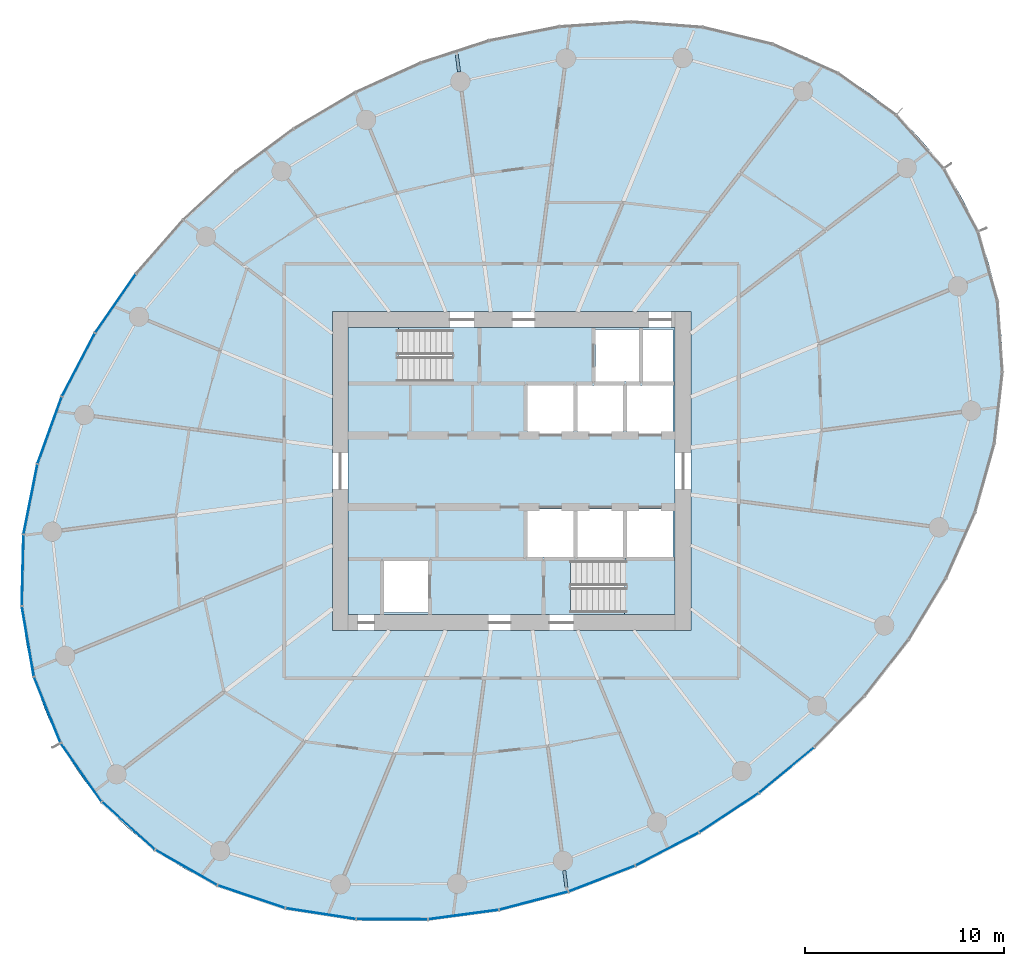
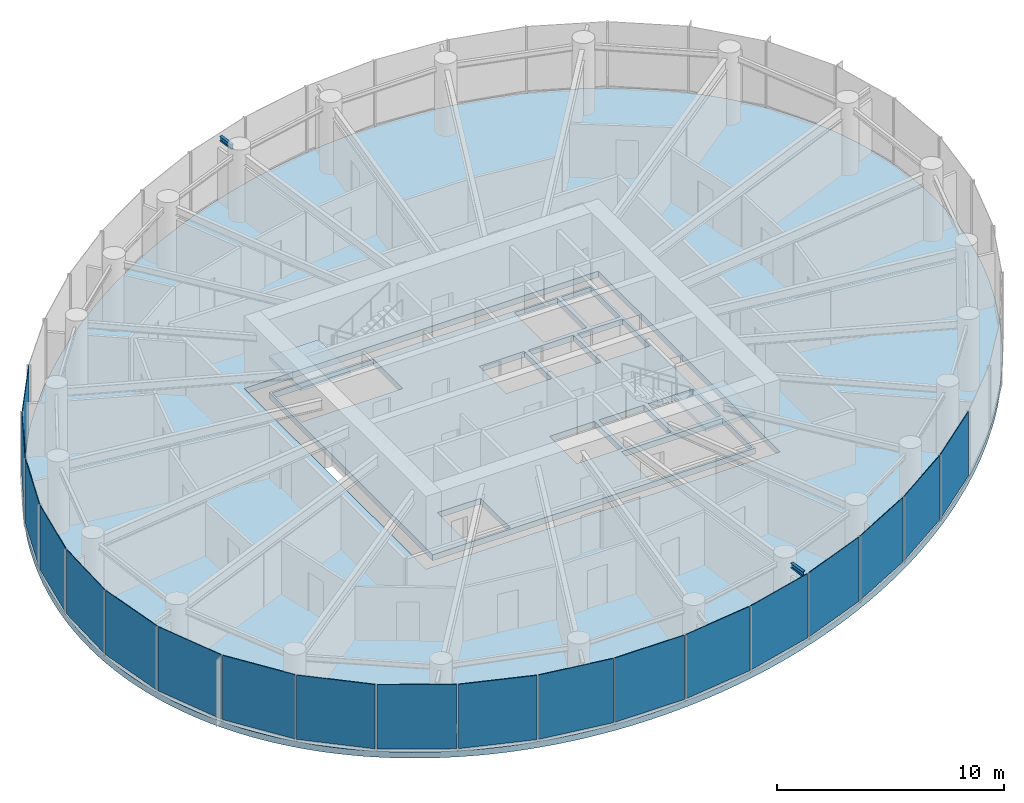
# One storey, part 7 of 15: 19 plates, 4 slabs, 2 beams, 6 elements without a shape of their own.
"""IFC4 building model written with IfcOpenShell, lengths in metres."""

from ifc_helpers import new_model, si_unit, direction, frame, origin, origin_2d, place, context, subcontext, project, spatial, line, indexed_curve, rectangle, i_section, outline, extrude, source, transform, mapped, material, layer, layer_set, material_profile, profile_set, type_object, element, aggregate, save


model = new_model("IFC4")

# Units and contexts
model_context = context("Model", 3, precision=1e-05, world=origin(), true_north=direction((0.0, 1.0)))
body_context = subcontext(model_context, "Body", "Model", "MODEL_VIEW")
ifc_project = project(units=[si_unit("LENGTHUNIT", "METRE"), si_unit("AREAUNIT", "SQUARE_METRE"), si_unit("VOLUMEUNIT", "CUBIC_METRE"), si_unit("PLANEANGLEUNIT", "RADIAN"), si_unit("MASSUNIT", "GRAM", prefix="KILO")], contexts=[model_context])

# Site, building, storey
site_placement = place(None, origin())
site = spatial("IfcSite", under=ifc_project, at=site_placement, CompositionType="ELEMENT")
building_placement = place(site_placement, origin())
building = spatial("IfcBuilding", under=site, at=building_placement, Name="Spindrift Exchange Tower", CompositionType="ELEMENT")
storey_placement = place(building_placement, frame((0.0, 0.0, 168.199951171875)))
storey = spatial("IfcBuildingStorey", under=building, at=storey_placement, Name="L40", CompositionType="ELEMENT", Elevation=168.199951171875)

# Beams
ifc_material_1 = material(Name="Steel Grade 300", Category="steel")
ifc_material_profile = material_profile(ifc_material_1, i_section(OverallWidth=0.14599609375, OverallDepth=0.251953125, WebThickness=0.006103515625, FlangeThickness=0.008544921875, FilletRadius=0.011962890625, at=origin_2d()), Name="250UB31.4")
ifc_profile_set = profile_set([ifc_material_profile], Name="Steel Grade 300")
beam_type = type_object("IfcBeamType", Name="Cantilever Beam 250UB31.4 Steel Grade 300", PredefinedType="BEAM", material=ifc_profile_set)
shared_shape_1 = source(origin(), body_context, "Body", "SweptSolid", [
    extrude(i_section(OverallWidth=0.14599609375, OverallDepth=0.251953125, WebThickness=0.006103515625, FlangeThickness=0.008544921875, FilletRadius=0.011962890625, at=origin_2d()), origin(), (0.0, 0.0, 1.0), 0.86962890625),
])
for number, where, z_axis, x_axis, name in (
    (1, (49.36328125, 68.027099609375, 3.4541015625), (-0.130251188216, 0.991481027538, 0.0), (-0.991481027538, -0.130251188216, 0.0), "L40 cantilever beam R07T"),
    (2, (54.63671875, 27.972900390625, 3.4541015625), (0.130251188216, -0.991481027538, 0.0), (0.991481027538, 0.130251188216, 0.0), "L40 cantilever beam R19T"),
):
    element("IfcBeam", number, at=place(storey_placement, frame(where, z_axis=z_axis, x_axis=x_axis)), inside=storey, type_object=beam_type, Name=name, PredefinedType="BEAM", context=body_context, shape_type="MappedRepresentation", body=[
        mapped(shared_shape_1, transform((0.0, 0.0, 0.0), scale=1.0)),
    ])

# Slabs
ifc_material_2 = material(Name="Concrete 40 MPa", Category="concrete")
ifc_layer_1 = layer(ifc_material_2, 0.320068359375)
ifc_layer_set_1 = layer_set([ifc_layer_1], Name="RC Floor Slab 320 Concrete 40 MPa")
slab_type_1 = type_object("IfcSlabType", Name="RC Floor Slab 320 Concrete 40 MPa", PredefinedType="FLOOR", material=ifc_layer_set_1)
slab_1_placement = place(storey_placement, frame((0.0, 0.0, -0.320068359375)))
element("IfcSlab", 3, at=slab_1_placement, inside=storey, type_object=slab_type_1, Name="Floor slab L40", PredefinedType="FLOOR", context=body_context, shape_type="SweptSolid", body=[
    extrude(outline(indexed_curve([(73.676025390625, 63.177734375), (73.436279296875, 63.5107421875), (73.18798828125, 63.837158203125), (72.93115234375, 64.1572265625), (72.666015625, 64.470458984375), (72.392822265625, 64.776611328125), (72.112060546875, 65.075439453125), (71.823486328125, 65.3671875), (71.52734375, 65.651123046875), (71.22412109375, 65.927734375), (70.914306640625, 66.1962890625), (70.597412109375, 66.457275390625), (70.2744140625, 66.7099609375), (69.945068359375, 66.954833984375), (69.26904296875, 67.419921875), (68.571533203125, 67.851806640625), (68.21533203125, 68.055419921875), (67.4892578125, 68.4375), (66.74658203125, 68.78662109375), (65.989501953125, 69.1025390625), (65.605712890625, 69.248046875), (64.829833984375, 69.514892578125), (64.43798828125, 69.636474609375), (63.647216796875, 69.855224609375), (62.848388671875, 70.04296875), (62.446533203125, 70.125244140625), (61.63818359375, 70.26708984375), (61.232421875, 70.32666015625), (60.41748046875, 70.42431640625), (59.60009765625, 70.492919921875), (59.1904296875, 70.516845703125), (58.780517578125, 70.53369140625), (57.9599609375, 70.54736328125), (57.1396484375, 70.5341796875), (56.7294921875, 70.517822265625), (55.91064453125, 70.466064453125), (55.501953125, 70.430908203125), (55.09375, 70.389404296875), (54.279296875, 70.288330078125), (53.87353515625, 70.22900390625), (53.064208984375, 70.092529296875), (52.661376953125, 70.015869140625), (51.858642578125, 69.845703125), (51.458984375, 69.752197265625), (50.6640625, 69.549072265625), (49.874755859375, 69.32470703125), (49.482421875, 69.20458984375), (48.70263671875, 68.949462890625), (48.315185546875, 68.814208984375), (47.5458984375, 68.529296875), (47.163818359375, 68.37939453125), (46.78369140625, 68.224609375), (46.02978515625, 67.9013671875), (44.9140625, 67.38134765625), (43.818359375, 66.82080078125), (42.74365234375, 66.220947265625), (42.039306640625, 65.7998046875), (41.345458984375, 65.361572265625), (40.324951171875, 64.673828125), (39.329345703125, 63.949951171875), (38.680419921875, 63.44775390625), (38.043701171875, 62.93017578125), (37.112548828125, 62.12548828125), (36.80859375, 61.849853515625), (36.2109375, 61.287353515625), (35.62744140625, 60.710693359375), (35.3408203125, 60.4169921875), (34.779052734375, 59.81884765625), (34.50390625, 59.5146484375), (33.96484375, 58.89599609375), (33.701171875, 58.58154296875), (33.441650390625, 58.263671875), (32.935302734375, 57.6181640625), (32.688232421875, 57.29052734375), (32.20751953125, 56.62548828125), (31.973876953125, 56.288330078125), (31.520263671875, 55.6044921875), (31.300537109375, 55.258056640625), (30.875732421875, 54.555908203125), (30.470703125, 53.84228515625), (30.276123046875, 53.481201171875), (29.902587890625, 52.75048828125), (29.72412109375, 52.381103515625), (29.55126953125, 52.009033203125), (29.222412109375, 51.257080078125), (28.91748046875, 50.495361328125), (28.77392578125, 50.111083984375), (28.506103515625, 49.33544921875), (28.3818359375, 48.9443359375), (28.1533203125, 48.156494140625), (28.04931640625, 47.759521484375), (27.862060546875, 46.960693359375), (27.779296875, 46.55859375), (27.63623046875, 45.750732421875), (27.575927734375, 45.344970703125), (27.47900390625, 44.5302734375), (27.414306640625, 43.712158203125), (27.394287109375, 43.302490234375), (27.3798828125, 42.48193359375), (27.39990234375, 41.66162109375), (27.42333984375, 41.252197265625), (27.497314453125, 40.434814453125), (27.608154296875, 39.621826171875), (27.677490234375, 39.217529296875), (27.844970703125, 38.414306640625), (28.05078125, 37.6201171875), (28.168212890625, 37.226806640625), (28.295166015625, 36.8369140625), (28.431884765625, 36.449951171875), (28.578369140625, 36.06689453125), (28.734619140625, 35.687255859375), (28.900390625, 35.31201171875), (29.07568359375, 34.941162109375), (29.260498046875, 34.57470703125), (29.45458984375, 34.21337890625), (29.658203125, 33.857421875), (29.87109375, 33.506591796875), (30.093017578125, 33.161376953125), (30.323974609375, 32.822265625), (30.563720703125, 32.4892578125), (30.81201171875, 32.162841796875), (31.06884765625, 31.8427734375), (31.333984375, 31.529541015625), (31.607177734375, 31.223388671875), (31.887939453125, 30.924560546875), (32.176513671875, 30.6328125), (32.47265625, 30.348876953125), (32.77587890625, 30.072265625), (33.085693359375, 29.8037109375), (33.402587890625, 29.542724609375), (33.7255859375, 29.2900390625), (34.054931640625, 29.045166015625), (34.73095703125, 28.580078125), (35.428466796875, 28.148193359375), (35.78466796875, 27.944580078125), (36.5107421875, 27.5625), (37.25341796875, 27.21337890625), (38.010498046875, 26.8974609375), (38.394287109375, 26.751953125), (39.170166015625, 26.485107421875), (39.56201171875, 26.363525390625), (40.352783203125, 26.144775390625), (41.151611328125, 25.95703125), (41.553466796875, 25.874755859375), (42.36181640625, 25.73291015625), (42.767578125, 25.67333984375), (43.58251953125, 25.57568359375), (44.39990234375, 25.507080078125), (44.8095703125, 25.483154296875), (45.219482421875, 25.46630859375), (46.0400390625, 25.45263671875), (46.8603515625, 25.4658203125), (47.2705078125, 25.482177734375), (48.08935546875, 25.533935546875), (48.498046875, 25.569091796875), (48.90625, 25.610595703125), (49.720703125, 25.711669921875), (50.12646484375, 25.77099609375), (50.935791015625, 25.907470703125), (51.338623046875, 25.984130859375), (52.141357421875, 26.154296875), (52.541015625, 26.247802734375), (53.3359375, 26.450927734375), (54.125244140625, 26.67529296875), (54.517578125, 26.79541015625), (55.29736328125, 27.050537109375), (55.684814453125, 27.185791015625), (56.4541015625, 27.470703125), (56.836181640625, 27.62060546875), (57.21630859375, 27.775390625), (57.97021484375, 28.0986328125), (59.0859375, 28.61865234375), (60.181640625, 29.17919921875), (61.25634765625, 29.779052734375), (61.960693359375, 30.2001953125), (62.654541015625, 30.638427734375), (63.675048828125, 31.326171875), (64.670654296875, 32.050048828125), (65.319580078125, 32.55224609375), (65.956298828125, 33.06982421875), (66.887451171875, 33.87451171875), (67.19140625, 34.150146484375), (67.7890625, 34.712646484375), (68.37255859375, 35.289306640625), (68.6591796875, 35.5830078125), (69.220947265625, 36.18115234375), (69.49609375, 36.4853515625), (70.03515625, 37.10400390625), (70.298828125, 37.41845703125), (70.558349609375, 37.736328125), (71.064697265625, 38.3818359375), (71.311767578125, 38.70947265625), (71.79248046875, 39.37451171875), (72.026123046875, 39.711669921875), (72.479736328125, 40.3955078125), (72.699462890625, 40.741943359375), (73.124267578125, 41.444091796875), (73.529296875, 42.15771484375), (73.723876953125, 42.518798828125), (74.097412109375, 43.24951171875), (74.27587890625, 43.618896484375), (74.44873046875, 43.990966796875), (74.777587890625, 44.742919921875), (75.08251953125, 45.504638671875), (75.22607421875, 45.888916015625), (75.493896484375, 46.66455078125), (75.6181640625, 47.0556640625), (75.8466796875, 47.843505859375), (75.95068359375, 48.240478515625), (76.137939453125, 49.039306640625), (76.220703125, 49.44140625), (76.36376953125, 50.249267578125), (76.424072265625, 50.655029296875), (76.52099609375, 51.4697265625), (76.585693359375, 52.287841796875), (76.605712890625, 52.697509765625), (76.6201171875, 53.51806640625), (76.60009765625, 54.33837890625), (76.57666015625, 54.747802734375), (76.502685546875, 55.565185546875), (76.391845703125, 56.378173828125), (76.322509765625, 56.782470703125), (76.155029296875, 57.585693359375), (75.94921875, 58.3798828125), (75.831787109375, 58.773193359375), (75.704833984375, 59.1630859375), (75.568115234375, 59.550048828125), (75.421630859375, 59.93310546875), (75.265380859375, 60.312744140625), (75.099609375, 60.68798828125), (74.92431640625, 61.058837890625), (74.739501953125, 61.42529296875), (74.54541015625, 61.78662109375), (74.341796875, 62.142578125), (74.12890625, 62.493408203125), (73.906982421875, 62.838623046875)], segments=[line(1, 2, 3, 4, 5, 6, 7, 8, 9, 10, 11, 12, 13, 14, 15, 16, 17, 18, 19, 20, 21, 22, 23, 24, 25, 26, 27, 28, 29, 30, 31, 32, 33, 34, 35, 36, 37, 38, 39, 40, 41, 42, 43, 44, 45, 46, 47, 48, 49, 50, 51, 52, 53, 54, 55, 56, 57, 58, 59, 60, 61, 62, 63, 64, 65, 66, 67, 68, 69, 70, 71, 72, 73, 74, 75, 76, 77, 78, 79, 80, 81, 82, 83, 84, 85, 86, 87, 88, 89, 90, 91, 92, 93, 94, 95, 96, 97, 98, 99, 100, 101, 102, 103, 104, 105, 106, 107, 108, 109, 110, 111, 112, 113, 114, 115, 116, 117, 118, 119, 120, 121, 122, 123, 124, 125, 126, 127, 128, 129, 130, 131, 132, 133, 134, 135, 136, 137, 138, 139, 140, 141, 142, 143, 144, 145, 146, 147, 148, 149, 150, 151, 152, 153, 154, 155, 156, 157, 158, 159, 160, 161, 162, 163, 164, 165, 166, 167, 168, 169, 170, 171, 172, 173, 174, 175, 176, 177, 178, 179, 180, 181, 182, 183, 184, 185, 186, 187, 188, 189, 190, 191, 192, 193, 194, 195, 196, 197, 198, 199, 200, 201, 202, 203, 204, 205, 206, 207, 208, 209, 210, 211, 212, 213, 214, 215, 216, 217, 218, 219, 220, 221, 222, 223, 224, 225, 226, 227, 228, 229, 230, 231, 232, 233, 234, 235, 236, 1)], self_intersect=False), holes=[indexed_curve([(43.0, 40.0), (61.0, 40.0), (61.0, 56.0), (43.0, 56.0)], segments=[line(1, 2, 3, 4, 1)], self_intersect=False)]), origin(), (0.0, 0.0, 1.0), 0.320068359375),
])
ifc_material_3 = material(Name="Concrete 50 MPa", Category="concrete")
ifc_layer_2 = layer(ifc_material_3, 0.320068359375)
ifc_layer_set_2 = layer_set([ifc_layer_2], Name="SL-CORE-FLOOR-320")
slab_type_2 = type_object("IfcSlabType", Name="SL-CORE-FLOOR-320", PredefinedType="FLOOR", material=ifc_layer_set_2)
slab_2_placement = place(storey_placement, frame((0.0, 0.0, -0.320068359375)))
element("IfcSlab", 4, at=slab_2_placement, inside=storey, type_object=slab_type_2, Name="L40 Core floor slab", PredefinedType="FLOOR", context=body_context, shape_type="SweptSolid", body=[
    extrude(outline(indexed_curve([(43.800048828125, 40.800048828125), (43.800048828125, 55.199951171875), (60.199951171875, 55.199951171875), (60.199951171875, 40.800048828125)], segments=[line(1, 2, 3, 4, 1)], self_intersect=False), holes=[indexed_curve([(45.60009765625, 43.5), (45.60009765625, 40.89990234375), (47.800048828125, 40.89990234375), (47.800048828125, 43.5)], segments=[line(1, 2, 3, 4, 1)], self_intersect=False), indexed_curve([(52.800048828125, 46.10009765625), (52.800048828125, 43.699951171875), (55.10009765625, 43.699951171875), (55.10009765625, 46.10009765625)], segments=[line(1, 2, 3, 4, 1)], self_intersect=False), indexed_curve([(55.300048828125, 46.10009765625), (55.300048828125, 43.699951171875), (57.60009765625, 43.699951171875), (57.60009765625, 46.10009765625)], segments=[line(1, 2, 3, 4, 1)], self_intersect=False), indexed_curve([(55.10009765625, 52.300048828125), (52.800048828125, 52.300048828125), (52.800048828125, 49.89990234375), (55.10009765625, 49.89990234375)], segments=[line(1, 2, 3, 4, 1)], self_intersect=False), indexed_curve([(57.60009765625, 52.300048828125), (55.300048828125, 52.300048828125), (55.300048828125, 49.89990234375), (57.60009765625, 49.89990234375)], segments=[line(1, 2, 3, 4, 1)], self_intersect=False), indexed_curve([(43.906005859375, 52.506103515625), (49.0439453125, 52.506103515625), (49.0439453125, 55.093994140625), (43.906005859375, 55.093994140625)], segments=[line(1, 2, 3, 4, 1)], self_intersect=False), indexed_curve([(60.093994140625, 40.906005859375), (60.093994140625, 43.493896484375), (54.9560546875, 43.493896484375), (54.9560546875, 40.906005859375)], segments=[line(1, 2, 3, 4, 1)], self_intersect=False), indexed_curve([(60.10009765625, 46.10009765625), (57.800048828125, 46.10009765625), (57.800048828125, 43.699951171875), (60.10009765625, 43.699951171875)], segments=[line(1, 2, 3, 4, 1)], self_intersect=False), indexed_curve([(57.800048828125, 52.300048828125), (57.800048828125, 49.89990234375), (60.10009765625, 49.89990234375), (60.10009765625, 52.300048828125)], segments=[line(1, 2, 3, 4, 1)], self_intersect=False), indexed_curve([(58.39990234375, 55.10009765625), (56.199951171875, 55.10009765625), (56.199951171875, 52.5), (58.39990234375, 52.5)], segments=[line(1, 2, 3, 4, 1)], self_intersect=False), indexed_curve([(60.10009765625, 55.10009765625), (58.60009765625, 55.10009765625), (58.60009765625, 52.5), (60.10009765625, 52.5)], segments=[line(1, 2, 3, 4, 1)], self_intersect=False)]), origin(), (0.0, 0.0, 1.0), 0.320068359375),
])

# Stair, slab
stair_type = type_object("IfcStairType", Name="ST-1250-R177", PredefinedType="HALF_TURN_STAIR", material=ifc_material_3)
stair_1_placement = place(storey_placement, origin())
stair_1 = element("IfcStair", 5, at=stair_1_placement, inside=storey, type_object=stair_type, Name="L40 Exit stair ST1", PredefinedType="HALF_TURN_STAIR")
ifc_layer_3 = layer(ifc_material_3, 0.199951171875)
ifc_layer_set_3 = layer_set([ifc_layer_3], Name="SL-LANDING")
slab_type_3 = type_object("IfcSlabType", Name="SL-LANDING", PredefinedType="LANDING", material=ifc_layer_set_3)
slab_3_placement = place(storey_placement, frame((0.0, 0.0, 1.75)))
slab_3 = element("IfcSlab", 6, at=slab_3_placement, type_object=slab_type_3, Name="ST1 landing 1", PredefinedType="LANDING", context=body_context, shape_type="SweptSolid", body=[
    extrude(outline(indexed_curve([(46.330078125, 52.39990234375), (43.800048828125, 52.39990234375), (43.800048828125, 55.199951171875), (46.330078125, 55.199951171875)], segments=[line(1, 2, 3, 4, 1)], self_intersect=False)), origin(), (0.0, 0.0, 1.0), 0.199951171875),
])
aggregate(stair_1, [slab_3])

stair_2_placement = place(storey_placement, origin())
stair_2 = element("IfcStair", 7, at=stair_2_placement, inside=storey, type_object=stair_type, Name="L40 Exit stair ST2", PredefinedType="HALF_TURN_STAIR")
slab_4_placement = place(storey_placement, frame((0.0, 0.0, 1.75)))
slab_4 = element("IfcSlab", 8, at=slab_4_placement, type_object=slab_type_3, Name="ST2 landing 1", PredefinedType="LANDING", context=body_context, shape_type="SweptSolid", body=[
    extrude(outline(indexed_curve([(57.669921875, 43.60009765625), (60.199951171875, 43.60009765625), (60.199951171875, 40.800048828125), (57.669921875, 40.800048828125)], segments=[line(1, 2, 3, 4, 1)], self_intersect=False)), origin(), (0.0, 0.0, 1.0), 0.199951171875),
])
aggregate(stair_2, [slab_4])

# Curtain wall, plate
ifc_material_4 = material(Name="Fritted laminated glass with bronze frame", Category="glass")
ifc_layer_4 = layer(ifc_material_4, 0.179931640625)
ifc_layer_set_4 = layer_set([ifc_layer_4], Name="ZONE 3 BRONZE FRITTED WALL")
curtain_wall_type = type_object("IfcCurtainWallType", Name="ZONE 3 BRONZE FRITTED WALL", PredefinedType="NOTDEFINED", material=ifc_layer_set_4)
curtain_wall_1_placement = place(storey_placement, origin())
curtain_wall_1 = element("IfcCurtainWall", 9, at=curtain_wall_1_placement, inside=storey, type_object=curtain_wall_type, Name="L40 Zone 3 Bronze Fritted Wall run 3", PredefinedType="NOTDEFINED")
ifc_material_5 = material(Name="Bronze fritted laminated glass, open frit", Category="glass")
ifc_layer_5 = layer(ifc_material_5, 0.031982421875)
ifc_layer_set_5 = layer_set([ifc_layer_5], Name="ZONE 3 BRONZE FRITTED WALL PANEL OPEN FRIT 360")
plate_type_1 = type_object("IfcPlateType", Name="ZONE 3 BRONZE FRITTED WALL PANEL OPEN FRIT 360", PredefinedType="CURTAIN_PANEL", material=ifc_layer_set_5)
shared_shape_2 = source(origin(), body_context, "Body", "SweptSolid", [
    extrude(rectangle(XDim=3.530517578125, YDim=0.031982421875, at=origin_2d()), origin(), (0.0, 0.0, 1.0), 3.449951171875),
])
plate_1_placement = place(storey_placement, frame((32.125244140625, 56.414794921875, 0.1298828125), z_axis=(0.0, 0.0, 1.0), x_axis=(-0.568854713516, -0.822438031046, 0.0)))
plate_1 = element("IfcPlate", 10, at=plate_1_placement, type_object=plate_type_1, Name="L40 panel CW-3.14", PredefinedType="CURTAIN_PANEL", context=body_context, shape_type="MappedRepresentation", body=[
    mapped(shared_shape_2, transform((0.0, 0.0, 0.0), scale=1.0)),
])

# Curtain wall, plates
curtain_wall_2_placement = place(storey_placement, origin())
curtain_wall_2 = element("IfcCurtainWall", 11, at=curtain_wall_2_placement, inside=storey, type_object=curtain_wall_type, Name="L40 Zone 3 Bronze Fritted Wall run 5", PredefinedType="NOTDEFINED")
ifc_layer_6 = layer(ifc_material_5, 0.031982421875)
ifc_layer_set_6 = layer_set([ifc_layer_6], Name="ZONE 3 BRONZE FRITTED WALL PANEL OPEN FRIT 600")
plate_type_2 = type_object("IfcPlateType", Name="ZONE 3 BRONZE FRITTED WALL PANEL OPEN FRIT 600", PredefinedType="CURTAIN_PANEL", material=ifc_layer_set_6)
shared_shape_3 = source(origin(), body_context, "Body", "SweptSolid", [
    extrude(rectangle(XDim=3.53076171875, YDim=0.031982421875, at=origin_2d()), origin(), (0.0, 0.0, 1.0), 3.449951171875),
])
plate_2_placement = place(storey_placement, frame((56.529541015625, 27.553466796875, 0.1298828125), z_axis=(0.0, 0.0, 1.0), x_axis=(0.932186773947, 0.361977649142, 0.0)))
plate_2 = element("IfcPlate", 12, at=plate_2_placement, type_object=plate_type_2, Name="L40 panel CW-3.29", PredefinedType="CURTAIN_PANEL", context=body_context, shape_type="MappedRepresentation", body=[
    mapped(shared_shape_3, transform((0.0, 0.0, 0.0), scale=1.0)),
])
shared_shape_4 = source(origin(), body_context, "Body", "SweptSolid", [
    extrude(rectangle(XDim=3.531005859375, YDim=0.031982421875, at=origin_2d()), origin(), (0.0, 0.0, 1.0), 3.449951171875),
])
plate_3_placement = place(storey_placement, frame((59.805419921875, 29.03515625, 0.1298828125), z_axis=(0.0, 0.0, 1.0), x_axis=(0.887427928558, 0.460946495392, 0.0)))
plate_3 = element("IfcPlate", 13, at=plate_3_placement, type_object=plate_type_2, Name="L40 panel CW-3.30", PredefinedType="CURTAIN_PANEL", context=body_context, shape_type="MappedRepresentation", body=[
    mapped(shared_shape_4, transform((0.0, 0.0, 0.0), scale=1.0)),
])

curtain_wall_3_placement = place(storey_placement, origin())
curtain_wall_3 = element("IfcCurtainWall", 14, at=curtain_wall_3_placement, inside=storey, type_object=curtain_wall_type, Name="L40 Zone 3 Bronze Fritted Wall run 6", PredefinedType="NOTDEFINED")
plate_4_placement = place(storey_placement, frame((65.795166015625, 32.997802734375, 0.1298828125), z_axis=(0.0, 0.0, 1.0), x_axis=(0.771450258371, 0.636289634411, 0.0)))
plate_4 = element("IfcPlate", 15, at=plate_4_placement, type_object=plate_type_2, Name="L40 panel CW-3.32", PredefinedType="CURTAIN_PANEL", context=body_context, shape_type="MappedRepresentation", body=[
    mapped(shared_shape_4, transform((0.0, 0.0, 0.0), scale=1.0)),
])
shared_shape_5 = source(origin(), body_context, "Body", "SweptSolid", [
    extrude(rectangle(XDim=3.531005859375, YDim=0.031982421875, at=origin_2d()), origin(), (0.0, 0.0, 1.0), 3.449951171875),
])
plate_5_placement = place(storey_placement, frame((62.90478515625, 30.858642578125, 0.1298828125), z_axis=(0.0, 0.0, 1.0), x_axis=(0.833912793801, 0.551896233304, 0.0)))
plate_5 = element("IfcPlate", 16, at=plate_5_placement, type_object=plate_type_1, Name="L40 panel CW-3.31", PredefinedType="CURTAIN_PANEL", context=body_context, shape_type="MappedRepresentation", body=[
    mapped(shared_shape_5, transform((0.0, 0.0, 0.0), scale=1.0)),
])
aggregate(curtain_wall_3, [plate_5, plate_4])

# Plate
shared_shape_6 = source(origin(), body_context, "Body", "SweptSolid", [
    extrude(rectangle(XDim=3.530517578125, YDim=0.031982421875, at=origin_2d()), origin(), (0.0, 0.0, 1.0), 3.449951171875),
])
plate_6_placement = place(storey_placement, frame((53.109619140625, 26.44580078125, 0.1298828125), z_axis=(0.0, 0.0, 1.0), x_axis=(0.967393415036, 0.253278464431, 0.0)))
plate_6 = element("IfcPlate", 17, at=plate_6_placement, type_object=plate_type_2, Name="L40 panel CW-3.28", PredefinedType="CURTAIN_PANEL", context=body_context, shape_type="MappedRepresentation", body=[
    mapped(shared_shape_6, transform((0.0, 0.0, 0.0), scale=1.0)),
])

ifc_layer_7 = layer(ifc_material_5, 0.031982421875)
ifc_layer_set_7 = layer_set([ifc_layer_7], Name="ZONE 3 BRONZE FRITTED WALL PANEL OPEN FRIT 480")
plate_type_3 = type_object("IfcPlateType", Name="ZONE 3 BRONZE FRITTED WALL PANEL OPEN FRIT 480", PredefinedType="CURTAIN_PANEL", material=ifc_layer_set_7)
shared_shape_7 = source(origin(), body_context, "Body", "SweptSolid", [
    extrude(rectangle(XDim=3.529541015625, YDim=0.031982421875, at=origin_2d()), origin(), (0.0, 0.0, 1.0), 3.449951171875),
])
plate_7_placement = place(storey_placement, frame((28.82080078125, 50.051513671875, 0.1298828125), z_axis=(0.0, 0.0, 1.0), x_axis=(-0.339790324094, -0.940501215125, 0.0)))
plate_7 = element("IfcPlate", 18, at=plate_7_placement, type_object=plate_type_3, Name="L40 panel CW-3.16", PredefinedType="CURTAIN_PANEL", context=body_context, shape_type="MappedRepresentation", body=[
    mapped(shared_shape_7, transform((0.0, 0.0, 0.0), scale=1.0)),
])

# Curtain wall, plates
curtain_wall_4_placement = place(storey_placement, origin())
curtain_wall_4 = element("IfcCurtainWall", 19, at=curtain_wall_4_placement, inside=storey, type_object=curtain_wall_type, Name="L40 Zone 3 Bronze Fritted Wall run 4", PredefinedType="NOTDEFINED")
shared_shape_8 = source(origin(), body_context, "Body", "SweptSolid", [
    extrude(rectangle(XDim=3.527587890625, YDim=0.031982421875, at=origin_2d()), origin(), (0.0, 0.0, 1.0), 3.449951171875),
])
plate_8_placement = place(storey_placement, frame((38.939697265625, 26.64697265625, 0.1298828125), z_axis=(0.0, 0.0, 1.0), x_axis=(0.94761632633, -0.31941086092, 0.0)))
plate_8 = element("IfcPlate", 20, at=plate_8_placement, type_object=plate_type_1, Name="L40 panel CW-3.24", PredefinedType="CURTAIN_PANEL", context=body_context, shape_type="MappedRepresentation", body=[
    mapped(shared_shape_8, transform((0.0, 0.0, 0.0), scale=1.0)),
])
shared_shape_9 = source(origin(), body_context, "Body", "SweptSolid", [
    extrude(rectangle(XDim=3.524658203125, YDim=0.031982421875, at=origin_2d()), origin(), (0.0, 0.0, 1.0), 3.449951171875),
])
plate_9_placement = place(storey_placement, frame((30.40869140625, 32.881591796875, 0.1298828125), z_axis=(0.0, 0.0, 1.0), x_axis=(0.573570717577, -0.819156048588, 0.0)))
plate_9 = element("IfcPlate", 21, at=plate_9_placement, type_object=plate_type_2, Name="L40 panel CW-3.21", PredefinedType="CURTAIN_PANEL", context=body_context, shape_type="MappedRepresentation", body=[
    mapped(shared_shape_9, transform((0.0, 0.0, 0.0), scale=1.0)),
])
shared_shape_10 = source(origin(), body_context, "Body", "SweptSolid", [
    extrude(rectangle(XDim=3.5263671875, YDim=0.031982421875, at=origin_2d()), origin(), (0.0, 0.0, 1.0), 3.449951171875),
])
plate_10_placement = place(storey_placement, frame((35.67333984375, 28.11279296875, 0.1298828125), z_axis=(0.0, 0.0, 1.0), x_axis=(0.868482740278, -0.495719406358, 0.0)))
plate_10 = element("IfcPlate", 22, at=plate_10_placement, type_object=plate_type_1, Name="L40 panel CW-3.23", PredefinedType="CURTAIN_PANEL", context=body_context, shape_type="MappedRepresentation", body=[
    mapped(shared_shape_10, transform((0.0, 0.0, 0.0), scale=1.0)),
])

# Plate
shared_shape_11 = source(origin(), body_context, "Body", "SweptSolid", [
    extrude(rectangle(XDim=3.527587890625, YDim=0.031982421875, at=origin_2d()), origin(), (0.0, 0.0, 1.0), 3.449951171875),
])
plate_11_placement = place(storey_placement, frame((27.4677734375, 43.030517578125, 0.1298828125), z_axis=(0.0, 0.0, 1.0), x_axis=(-0.023959332401, -0.999712933992, 0.0)))
plate_11 = element("IfcPlate", 23, at=plate_11_placement, type_object=plate_type_2, Name="L40 panel CW-3.18", PredefinedType="CURTAIN_PANEL", context=body_context, shape_type="MappedRepresentation", body=[
    mapped(shared_shape_11, transform((0.0, 0.0, 0.0), scale=1.0)),
])

shared_shape_12 = source(origin(), body_context, "Body", "SweptSolid", [
    extrude(rectangle(XDim=3.530029296875, YDim=0.031982421875, at=origin_2d()), origin(), (0.0, 0.0, 1.0), 3.449951171875),
])
plate_12_placement = place(storey_placement, frame((49.583984375, 25.751220703125, 0.1298828125), z_axis=(0.0, 0.0, 1.0), x_axis=(0.991176024015, 0.132552213931, 0.0)))
plate_12 = element("IfcPlate", 24, at=plate_12_placement, type_object=plate_type_2, Name="L40 panel CW-3.27", PredefinedType="CURTAIN_PANEL", context=body_context, shape_type="MappedRepresentation", body=[
    mapped(shared_shape_12, transform((0.0, 0.0, 0.0), scale=1.0)),
])

shared_shape_13 = source(origin(), body_context, "Body", "SweptSolid", [
    extrude(rectangle(XDim=3.530029296875, YDim=0.031982421875, at=origin_2d()), origin(), (0.0, 0.0, 1.0), 3.449951171875),
])
plate_13_placement = place(storey_placement, frame((30.266845703125, 53.339111328125, 0.1298828125), z_axis=(0.0, 0.0, 1.0), x_axis=(-0.463571328389, -0.886059604934, 0.0)))
plate_13 = element("IfcPlate", 25, at=plate_13_placement, type_object=plate_type_3, Name="L40 panel CW-3.15", PredefinedType="CURTAIN_PANEL", context=body_context, shape_type="MappedRepresentation", body=[
    mapped(shared_shape_13, transform((0.0, 0.0, 0.0), scale=1.0)),
])

shared_shape_14 = source(origin(), body_context, "Body", "SweptSolid", [
    extrude(rectangle(XDim=3.525146484375, YDim=0.031982421875, at=origin_2d()), origin(), (0.0, 0.0, 1.0), 3.449951171875),
])
plate_14_placement = place(storey_placement, frame((28.704833984375, 36.020751953125, 0.1298828125), z_axis=(0.0, 0.0, 1.0), x_axis=(0.374423724887, -0.927257717273, 0.0)))
plate_14 = element("IfcPlate", 26, at=plate_14_placement, type_object=plate_type_3, Name="L40 panel CW-3.20", PredefinedType="CURTAIN_PANEL", context=body_context, shape_type="MappedRepresentation", body=[
    mapped(shared_shape_14, transform((0.0, 0.0, 0.0), scale=1.0)),
])

shared_shape_15 = source(origin(), body_context, "Body", "SweptSolid", [
    extrude(rectangle(XDim=3.528564453125, YDim=0.031982421875, at=origin_2d()), origin(), (0.0, 0.0, 1.0), 3.449951171875),
])
plate_15_placement = place(storey_placement, frame((27.860107421875, 46.59375, 0.1298828125), z_axis=(0.0, 0.0, 1.0), x_axis=(-0.194047729926, -0.980992088913, 0.0)))
plate_15 = element("IfcPlate", 27, at=plate_15_placement, type_object=plate_type_1, Name="L40 panel CW-3.17", PredefinedType="CURTAIN_PANEL", context=body_context, shape_type="MappedRepresentation", body=[
    mapped(shared_shape_15, transform((0.0, 0.0, 0.0), scale=1.0)),
])

aggregate(curtain_wall_1, [plate_1, plate_13, plate_7, plate_15, plate_11])

shared_shape_16 = source(origin(), body_context, "Body", "SweptSolid", [
    extrude(rectangle(XDim=3.526123046875, YDim=0.031982421875, at=origin_2d()), origin(), (0.0, 0.0, 1.0), 3.449951171875),
])
plate_16_placement = place(storey_placement, frame((27.728271484375, 39.459716796875, 0.1298828125), z_axis=(0.0, 0.0, 1.0), x_axis=(0.168788717406, -0.985652255553, 0.0)))
plate_16 = element("IfcPlate", 28, at=plate_16_placement, type_object=plate_type_1, Name="L40 panel CW-3.19", PredefinedType="CURTAIN_PANEL", context=body_context, shape_type="MappedRepresentation", body=[
    mapped(shared_shape_16, transform((0.0, 0.0, 0.0), scale=1.0)),
])

shared_shape_17 = source(origin(), body_context, "Body", "SweptSolid", [
    extrude(rectangle(XDim=3.52490234375, YDim=0.031982421875, at=origin_2d()), origin(), (0.0, 0.0, 1.0), 3.449951171875),
])
plate_17_placement = place(storey_placement, frame((32.775634765625, 30.206787109375, 0.1298828125), z_axis=(0.0, 0.0, 1.0), x_axis=(0.743279113628, -0.668981434155, 0.0)))
plate_17 = element("IfcPlate", 29, at=plate_17_placement, type_object=plate_type_2, Name="L40 panel CW-3.22", PredefinedType="CURTAIN_PANEL", context=body_context, shape_type="MappedRepresentation", body=[
    mapped(shared_shape_17, transform((0.0, 0.0, 0.0), scale=1.0)),
])

aggregate(curtain_wall_4, [plate_16, plate_14, plate_9, plate_17, plate_10, plate_8])

shared_shape_18 = source(origin(), body_context, "Body", "SweptSolid", [
    extrude(rectangle(XDim=3.52880859375, YDim=0.031982421875, at=origin_2d()), origin(), (0.0, 0.0, 1.0), 3.449951171875),
])
plate_18_placement = place(storey_placement, frame((42.42236328125, 25.796875, 0.1298828125), z_axis=(0.0, 0.0, 1.0), x_axis=(0.988200061405, -0.153168660758, 0.0)))
plate_18 = element("IfcPlate", 30, at=plate_18_placement, type_object=plate_type_2, Name="L40 panel CW-3.25", PredefinedType="CURTAIN_PANEL", context=body_context, shape_type="MappedRepresentation", body=[
    mapped(shared_shape_18, transform((0.0, 0.0, 0.0), scale=1.0)),
])

shared_shape_19 = source(origin(), body_context, "Body", "SweptSolid", [
    extrude(rectangle(XDim=3.529541015625, YDim=0.031982421875, at=origin_2d()), origin(), (0.0, 0.0, 1.0), 3.449951171875),
])
plate_19_placement = place(storey_placement, frame((46.000244140625, 25.51708984375, 0.1298828125), z_axis=(0.0, 0.0, 1.0), x_axis=(0.999997211824, -0.002361428283, 0.0)))
plate_19 = element("IfcPlate", 31, at=plate_19_placement, type_object=plate_type_2, Name="L40 panel CW-3.26", PredefinedType="CURTAIN_PANEL", context=body_context, shape_type="MappedRepresentation", body=[
    mapped(shared_shape_19, transform((0.0, 0.0, 0.0), scale=1.0)),
])

aggregate(curtain_wall_2, [plate_18, plate_19, plate_12, plate_6, plate_2, plate_3])

save(model, "model.ifc")
